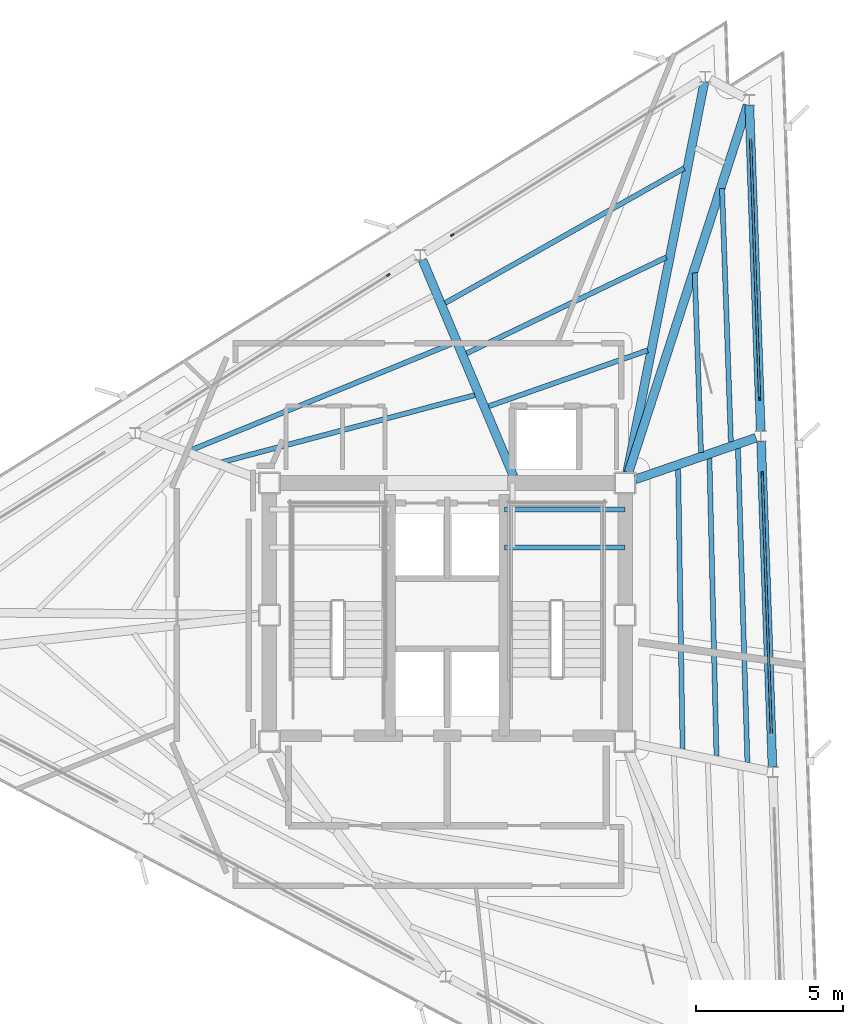
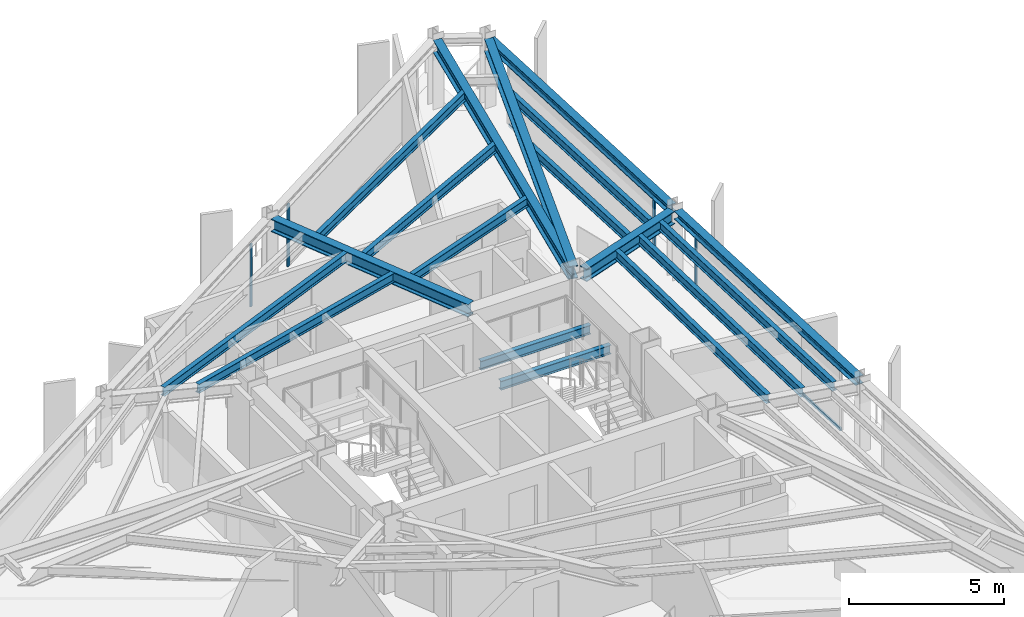
# One storey, part 5 of 12: 18 beams, 8 members, 4 elements without a shape of their own.
"""IFC4 building model written with IfcOpenShell, lengths in metres."""

from ifc_helpers import new_model, si_unit, direction, frame, origin, origin_2d, place, context, subcontext, project, spatial, rectangle, i_section, extrude, material, layer, layer_set, material_profile, profile_set, type_object, element, aggregate, save


model = new_model("IFC4")

# Units and contexts
model_context = context("Model", 3, precision=1e-05, world=origin(), true_north=direction((0.0, 1.0)))
body_context = subcontext(model_context, "Body", "Model", "MODEL_VIEW")
ifc_project = project(units=[si_unit("LENGTHUNIT", "METRE"), si_unit("AREAUNIT", "SQUARE_METRE"), si_unit("VOLUMEUNIT", "CUBIC_METRE"), si_unit("PLANEANGLEUNIT", "RADIAN"), si_unit("MASSUNIT", "GRAM", prefix="KILO")], contexts=[model_context])

# Site, building, storey
site_placement = place(None, origin())
site = spatial("IfcSite", under=ifc_project, at=site_placement, CompositionType="ELEMENT")
building_placement = place(site_placement, origin())
building = spatial("IfcBuilding", under=site, at=building_placement, Name="Rocaltana Carrier Exchange", CompositionType="ELEMENT")
storey_placement = place(building_placement, frame((0.0, 0.0, 205.760009765625)))
storey = spatial("IfcBuildingStorey", under=building, at=storey_placement, Name="L65", CompositionType="ELEMENT", Elevation=205.760009765625)

# Curtain wall, member
ifc_material_1 = material(Name="Aluminium 6063-T6", Category="aluminium")
ifc_layer = layer(ifc_material_1, 0.1201171875)
ifc_layer_set = layer_set([ifc_layer], Name="Aluminium 6063-T6")
curtain_wall_type = type_object("IfcCurtainWallType", Name="High-Altitude Thermal Curtain Wall CW-05", PredefinedType="NOTDEFINED", material=ifc_layer_set)
curtain_wall_1_placement = place(storey_placement, origin())
curtain_wall_1 = element("IfcCurtainWall", 1, at=curtain_wall_1_placement, inside=storey, type_object=curtain_wall_type, Name="L65 CW-05 Run CW-L65-F1S2", PredefinedType="NOTDEFINED")
ifc_material_2 = material(Name="Aluminium 6063-T6", Category="aluminium")
ifc_material_profile_1 = material_profile(ifc_material_2, rectangle(XDim=0.06005859375, YDim=0.1201171875, at=origin_2d()), Name="AL-60X120")
ifc_profile_set_1 = profile_set([ifc_material_profile_1], Name="Aluminium 6063-T6")
member_type_1 = type_object("IfcMemberType", Name="CW-05 Mullion AL-60X120", PredefinedType="MULLION", material=ifc_profile_set_1)
member_1_placement = place(storey_placement, frame((10.712890625, 4.8134765625, 0.0), z_axis=(0.0, 0.0, 1.0), x_axis=(-0.999390720156, -0.034902556738, 0.0)))
member_1 = element("IfcMember", 2, at=member_1_placement, type_object=member_type_1, Name="CW-05 mullion 2", PredefinedType="MULLION", context=body_context, shape_type="SweptSolid", body=[
    extrude(rectangle(XDim=0.06005859375, YDim=0.1201171875, at=origin_2d()), origin(), (0.0, 0.0, 1.0), 2.447998046875),
])

curtain_wall_2_placement = place(storey_placement, origin())
curtain_wall_2 = element("IfcCurtainWall", 3, at=curtain_wall_2_placement, inside=storey, type_object=curtain_wall_type, Name="L65 CW-05 Run CW-L65-F1S3", PredefinedType="NOTDEFINED")
member_2_placement = place(storey_placement, frame((10.62353515625, 7.371826171875, 0.0), z_axis=(0.0, 0.0, 1.0), x_axis=(-0.999390720156, -0.034902556738, 0.0)))
member_2 = element("IfcMember", 4, at=member_2_placement, type_object=member_type_1, Name="CW-05 mullion 1", PredefinedType="MULLION", context=body_context, shape_type="SweptSolid", body=[
    extrude(rectangle(XDim=0.06005859375, YDim=0.1201171875, at=origin_2d()), origin(), (0.0, 0.0, 1.0), 2.447998046875),
])

curtain_wall_3_placement = place(storey_placement, origin())
curtain_wall_3 = element("IfcCurtainWall", 5, at=curtain_wall_3_placement, inside=storey, type_object=curtain_wall_type, Name="L65 CW-05 Run CW-L65-F2S1", PredefinedType="NOTDEFINED")
member_3_placement = place(storey_placement, frame((0.171142578125, 12.9296875, 0.0), z_axis=(0.0, 0.0, 1.0), x_axis=(0.529928503412, -0.848042322807, 0.0)))
member_3 = element("IfcMember", 6, at=member_3_placement, type_object=member_type_1, Name="CW-05 mullion 2", PredefinedType="MULLION", context=body_context, shape_type="SweptSolid", body=[
    extrude(rectangle(XDim=0.06005859375, YDim=0.1201171875, at=origin_2d()), origin(), (0.0, 0.0, 1.0), 2.447998046875),
])
aggregate(curtain_wall_3, [member_3])

curtain_wall_4_placement = place(storey_placement, origin())
curtain_wall_4 = element("IfcCurtainWall", 7, at=curtain_wall_4_placement, inside=storey, type_object=curtain_wall_type, Name="L65 CW-05 Run CW-L65-F2S2", PredefinedType="NOTDEFINED")
member_4_placement = place(storey_placement, frame((-2.0, 11.572998046875, 0.0), z_axis=(0.0, 0.0, 1.0), x_axis=(0.529920452816, -0.848047353446, 0.0)))
member_4 = element("IfcMember", 8, at=member_4_placement, type_object=member_type_1, Name="CW-05 mullion 1", PredefinedType="MULLION", context=body_context, shape_type="SweptSolid", body=[
    extrude(rectangle(XDim=0.06005859375, YDim=0.1201171875, at=origin_2d()), origin(), (0.0, 0.0, 1.0), 2.447998046875),
])
aggregate(curtain_wall_4, [member_4])

# Member
ifc_material_3 = material(Name="Aluminium 6063-T6", Category="aluminium")
ifc_material_profile_2 = material_profile(ifc_material_3, rectangle(XDim=0.06005859375, YDim=0.1201171875, at=origin_2d()), Name="AL-60X120")
ifc_profile_set_2 = profile_set([ifc_material_profile_2], Name="Aluminium 6063-T6")
member_type_2 = type_object("IfcMemberType", Name="CW-05 Transom AL-60X120", PredefinedType="USERDEFINED", material=ifc_profile_set_2)
member_5_placement = place(storey_placement, frame((11.021484375, -4.024658203125, 0.030029296875), z_axis=(-0.034903051323, 0.999390702883, 0.0), x_axis=(-0.999390702883, -0.034903051323, 0.0)))
member_5 = element("IfcMember", 9, at=member_5_placement, type_object=member_type_2, Name="CW-05 transom 1.1", ObjectType="TRANSOM", PredefinedType="USERDEFINED", context=body_context, shape_type="SweptSolid", body=[
    extrude(rectangle(XDim=0.06005859375, YDim=0.1201171875, at=origin_2d()), origin(), (0.0, 0.0, 1.0), 8.8134765625),
])

member_6_placement = place(storey_placement, frame((11.021484375, -4.024658203125, 2.41796875), z_axis=(-0.034903051323, 0.999390702883, 0.0), x_axis=(-0.999390702883, -0.034903051323, 0.0)))
member_6 = element("IfcMember", 10, at=member_6_placement, type_object=member_type_2, Name="CW-05 transom 1.2", ObjectType="TRANSOM", PredefinedType="USERDEFINED", context=body_context, shape_type="SweptSolid", body=[
    extrude(rectangle(XDim=0.06005859375, YDim=0.1201171875, at=origin_2d()), origin(), (0.0, 0.0, 1.0), 8.8134765625),
])

aggregate(curtain_wall_1, [member_1, member_5, member_6])

member_7_placement = place(storey_placement, frame((10.62255859375, 7.40185546875, 0.030029296875), z_axis=(-0.034903051323, 0.999390702883, 0.0), x_axis=(-0.999390702883, -0.034903051323, 0.0)))
member_7 = element("IfcMember", 11, at=member_7_placement, type_object=member_type_2, Name="CW-05 transom 1.1", ObjectType="TRANSOM", PredefinedType="USERDEFINED", context=body_context, shape_type="SweptSolid", body=[
    extrude(rectangle(XDim=0.06005859375, YDim=0.1201171875, at=origin_2d()), origin(), (0.0, 0.0, 1.0), 8.8134765625),
])

member_8_placement = place(storey_placement, frame((10.62255859375, 7.40185546875, 2.41796875), z_axis=(-0.034903051323, 0.999390702883, 0.0), x_axis=(-0.999390702883, -0.034903051323, 0.0)))
member_8 = element("IfcMember", 12, at=member_8_placement, type_object=member_type_2, Name="CW-05 transom 1.2", ObjectType="TRANSOM", PredefinedType="USERDEFINED", context=body_context, shape_type="SweptSolid", body=[
    extrude(rectangle(XDim=0.06005859375, YDim=0.1201171875, at=origin_2d()), origin(), (0.0, 0.0, 1.0), 8.8134765625),
])

aggregate(curtain_wall_2, [member_2, member_7, member_8])

# Beams
ifc_material_4 = material(Name="Steel S355", Category="steel")
ifc_material_profile_3 = material_profile(ifc_material_4, i_section(OverallWidth=0.172119140625, OverallDepth=0.35791015625, WebThickness=0.0078125, FlangeThickness=0.01318359375, FilletRadius=0.011962890625, at=origin_2d()), Name="W14X38")
ifc_profile_set_3 = profile_set([ifc_material_profile_3], Name="Steel S355")
beam_type_1 = type_object("IfcBeamType", Name="Floor Joist W14X38", PredefinedType="JOIST", material=ifc_profile_set_3)
for number, where, z_axis, x_axis, name in (
    (13, (1.93994140625, 2.300048828125, 1.140869140625), (1.0, 0.0, 0.0), (0.0, 1.0, 0.0), "L65 ST-2 Landing Carrier 1"),
    (14, (1.93994140625, 3.60009765625, 1.140869140625), (1.0, 0.0, 0.0), (0.0, 1.0, 0.0), "L65 ST-2 Landing Carrier 2"),
):
    element("IfcBeam", number, at=place(storey_placement, frame(where, z_axis=z_axis, x_axis=x_axis)), inside=storey, type_object=beam_type_1, Name=name, PredefinedType="JOIST", context=body_context, shape_type="SweptSolid", body=[
        extrude(i_section(OverallWidth=0.172119140625, OverallDepth=0.35791015625, WebThickness=0.0078125, FlangeThickness=0.01318359375, FilletRadius=0.011962890625, at=origin_2d()), origin(), (0.0, 0.0, 1.0), 4.110107421875),
    ])
beam_1_placement = place(storey_placement, frame((8.00439453125, -4.55908203125, 2.618896484375), z_axis=(-0.015819427731, 0.999874865024, 0.0), x_axis=(-0.999874865024, -0.015819427731, 0.0)))
element("IfcBeam", 15, at=beam_1_placement, inside=storey, type_object=beam_type_1, Name="FJ-L65-02-1", PredefinedType="JOIST", context=body_context, shape_type="SweptSolid", body=[
    extrude(i_section(OverallWidth=0.172119140625, OverallDepth=0.35791015625, WebThickness=0.0078125, FlangeThickness=0.01318359375, FilletRadius=0.011962890625, at=origin_2d()), origin(), (0.0, 0.0, 1.0), 9.53759765625),
])
beam_2_placement = place(storey_placement, frame((9.1572265625, -4.796875, 2.618896484375), z_axis=(-0.023708273398, 0.999718919383, 0.0), x_axis=(-0.999718919383, -0.023708273398, 0.0)))
element("IfcBeam", 16, at=beam_2_placement, inside=storey, type_object=beam_type_1, Name="FJ-L65-02-2", PredefinedType="JOIST", context=body_context, shape_type="SweptSolid", body=[
    extrude(i_section(OverallWidth=0.172119140625, OverallDepth=0.35791015625, WebThickness=0.0078125, FlangeThickness=0.01318359375, FilletRadius=0.011962890625, at=origin_2d()), origin(), (0.0, 0.0, 1.0), 10.143310546875),
])
beam_3_placement = place(storey_placement, frame((10.2099609375, -5.013916015625, 2.618896484375), z_axis=(-0.030150236213, 0.999545378288, 0.0), x_axis=(-0.999545378288, -0.030150236213, 0.0)))
element("IfcBeam", 17, at=beam_3_placement, inside=storey, type_object=beam_type_1, Name="FJ-L65-02-3", PredefinedType="JOIST", context=body_context, shape_type="SweptSolid", body=[
    extrude(i_section(OverallWidth=0.172119140625, OverallDepth=0.35791015625, WebThickness=0.0078125, FlangeThickness=0.01318359375, FilletRadius=0.011962890625, at=origin_2d()), origin(), (0.0, 0.0, 1.0), 10.69677734375),
])
beam_4_placement = place(storey_placement, frame((8.631103515625, 5.535888671875, 2.618896484375), z_axis=(-0.034896830371, 0.999390920126, 0.0), x_axis=(-0.999390920126, -0.034896830371, 0.0)))
element("IfcBeam", 18, at=beam_4_placement, inside=storey, type_object=beam_type_1, Name="FJ-L65-03-2", PredefinedType="JOIST", context=body_context, shape_type="SweptSolid", body=[
    extrude(i_section(OverallWidth=0.172119140625, OverallDepth=0.35791015625, WebThickness=0.0078125, FlangeThickness=0.01318359375, FilletRadius=0.011962890625, at=origin_2d()), origin(), (0.0, 0.0, 1.0), 6.114501953125),
])
beam_5_placement = place(storey_placement, frame((9.647216796875, 5.88623046875, 2.618896484375), z_axis=(-0.034909498386, 0.999390477703, 0.0), x_axis=(-0.999390477703, -0.034909498386, 0.0)))
element("IfcBeam", 19, at=beam_5_placement, inside=storey, type_object=beam_type_1, Name="FJ-L65-03-3", PredefinedType="JOIST", context=body_context, shape_type="SweptSolid", body=[
    extrude(i_section(OverallWidth=0.172119140625, OverallDepth=0.35791015625, WebThickness=0.0078125, FlangeThickness=0.01318359375, FilletRadius=0.011962890625, at=origin_2d()), origin(), (0.0, 0.0, 1.0), 8.630126953125),
])
beam_6_placement = place(storey_placement, frame((6.815673828125, 9.009521484375, 2.618896484375), z_axis=(-0.943243231167, -0.332102705285, 0.0), x_axis=(0.332102705285, -0.943243231167, 0.0)))
element("IfcBeam", 20, at=beam_6_placement, inside=storey, type_object=beam_type_1, Name="FJ-L65-05-1", PredefinedType="JOIST", context=body_context, shape_type="SweptSolid", body=[
    extrude(i_section(OverallWidth=0.172119140625, OverallDepth=0.35791015625, WebThickness=0.0078125, FlangeThickness=0.01318359375, FilletRadius=0.011962890625, at=origin_2d()), origin(), (0.0, 0.0, 1.0), 5.732666015625),
])
beam_7_placement = place(storey_placement, frame((7.449951171875, 12.17138671875, 2.618896484375), z_axis=(-0.90125874398, -0.433281290155, 0.0), x_axis=(0.433281290155, -0.90125874398, 0.0)))
element("IfcBeam", 21, at=beam_7_placement, inside=storey, type_object=beam_type_1, Name="FJ-L65-05-2", PredefinedType="JOIST", context=body_context, shape_type="SweptSolid", body=[
    extrude(i_section(OverallWidth=0.172119140625, OverallDepth=0.35791015625, WebThickness=0.0078125, FlangeThickness=0.01318359375, FilletRadius=0.011962890625, at=origin_2d()), origin(), (0.0, 0.0, 1.0), 7.543212890625),
])
beam_8_placement = place(storey_placement, frame((8.05517578125, 15.201171875, 2.618896484375), z_axis=(-0.870951476943, -0.491369031187, 0.0), x_axis=(0.491369031187, -0.870951476943, 0.0)))
element("IfcBeam", 22, at=beam_8_placement, inside=storey, type_object=beam_type_1, Name="FJ-L65-05-3", PredefinedType="JOIST", context=body_context, shape_type="SweptSolid", body=[
    extrude(i_section(OverallWidth=0.172119140625, OverallDepth=0.35791015625, WebThickness=0.0078125, FlangeThickness=0.01318359375, FilletRadius=0.011962890625, at=origin_2d()), origin(), (0.0, 0.0, 1.0), 9.330078125),
])
beam_9_placement = place(storey_placement, frame((0.937744140625, 7.486083984375, 2.618896484375), z_axis=(-0.966555608165, -0.256457123756, 0.0), x_axis=(0.256457123756, -0.966555608165, 0.0)))
element("IfcBeam", 23, at=beam_9_placement, inside=storey, type_object=beam_type_1, Name="FJ-L65-06-1", PredefinedType="JOIST", context=body_context, shape_type="SweptSolid", body=[
    extrude(i_section(OverallWidth=0.172119140625, OverallDepth=0.35791015625, WebThickness=0.0078125, FlangeThickness=0.01318359375, FilletRadius=0.011962890625, at=origin_2d()), origin(), (0.0, 0.0, 1.0), 8.92578125),
])
beam_10_placement = place(storey_placement, frame((0.192626953125, 9.25146484375, 2.618896484375), z_axis=(-0.925846018296, -0.37790097963, 0.0), x_axis=(0.37790097963, -0.925846018296, 0.0)))
element("IfcBeam", 24, at=beam_10_placement, inside=storey, type_object=beam_type_1, Name="FJ-L65-06-2", PredefinedType="JOIST", context=body_context, shape_type="SweptSolid", body=[
    extrude(i_section(OverallWidth=0.172119140625, OverallDepth=0.35791015625, WebThickness=0.0078125, FlangeThickness=0.01318359375, FilletRadius=0.011962890625, at=origin_2d()), origin(), (0.0, 0.0, 1.0), 9.652587890625),
])
ifc_material_5 = material(Name="Steel S355", Category="steel")
ifc_material_profile_4 = material_profile(ifc_material_5, i_section(OverallWidth=0.300048828125, OverallDepth=0.320068359375, WebThickness=0.011474609375, FlangeThickness=0.0205078125, FilletRadius=0.027099609375, at=origin_2d()), Name="HEB320")
ifc_profile_set_4 = profile_set([ifc_material_profile_4], Name="Steel S355")
beam_type_2 = type_object("IfcBeamType", Name="Spandrel Edge Beam HEB320", PredefinedType="SPANDREL", material=ifc_profile_set_4)
beam_11_placement = place(storey_placement, frame((11.060791015625, -5.154296875, 2.637939453125), z_axis=(-0.03487608544, 0.999391644284, 0.0), x_axis=(-0.999391644284, -0.03487608544, 0.0)))
element("IfcBeam", 25, at=beam_11_placement, inside=storey, type_object=beam_type_2, Name="SP-L65-02", PredefinedType="SPANDREL", context=body_context, shape_type="SweptSolid", body=[
    extrude(i_section(OverallWidth=0.300048828125, OverallDepth=0.320068359375, WebThickness=0.011474609375, FlangeThickness=0.0205078125, FilletRadius=0.027099609375, at=origin_2d()), origin(), (0.0, 0.0, 1.0), 11.074462890625),
])
beam_12_placement = place(storey_placement, frame((10.661865234375, 6.272216796875, 2.637939453125), z_axis=(-0.034898873062, 0.999390848797, 0.0), x_axis=(-0.999390848797, -0.034898873062, 0.0)))
element("IfcBeam", 26, at=beam_12_placement, inside=storey, type_object=beam_type_2, Name="SP-L65-03", PredefinedType="SPANDREL", context=body_context, shape_type="SweptSolid", body=[
    extrude(i_section(OverallWidth=0.300048828125, OverallDepth=0.320068359375, WebThickness=0.011474609375, FlangeThickness=0.0205078125, FilletRadius=0.027099609375, at=origin_2d()), origin(), (0.0, 0.0, 1.0), 11.07421875),
])
ifc_material_6 = material(Name="Steel S355", Category="steel")
ifc_material_profile_5 = material_profile(ifc_material_6, i_section(OverallWidth=0.300048828125, OverallDepth=0.5, WebThickness=0.014404296875, FlangeThickness=0.028076171875, FilletRadius=0.027099609375, at=origin_2d()), Name="HEB500")
ifc_profile_set_5 = profile_set([ifc_material_profile_5], Name="Steel S355")
beam_type_3 = type_object("IfcBeamType", Name="Upper Radial Girder HEB500", PredefinedType="BEAM", material=ifc_profile_set_5)
beam_13_placement = place(storey_placement, frame((6.39697265625, 4.61962890625, 2.548095703125), z_axis=(0.945357432696, 0.326035771729, 0.0), x_axis=(-0.326035771729, 0.945357432696, 0.0)))
element("IfcBeam", 27, at=beam_13_placement, inside=storey, type_object=beam_type_3, Name="RG-L65-03", PredefinedType="BEAM", context=body_context, shape_type="SweptSolid", body=[
    extrude(i_section(OverallWidth=0.300048828125, OverallDepth=0.5, WebThickness=0.014404296875, FlangeThickness=0.028076171875, FilletRadius=0.027099609375, at=origin_2d()), origin(), (0.0, 0.0, 1.0), 4.338623046875),
])
beam_14_placement = place(storey_placement, frame((6.1630859375, 4.84912109375, 2.548095703125), z_axis=(0.308295669882, 0.951290586484, 0.0), x_axis=(-0.951290586484, 0.308295669882, 0.0)))
element("IfcBeam", 28, at=beam_14_placement, inside=storey, type_object=beam_type_3, Name="RG-L65-04", PredefinedType="BEAM", context=body_context, shape_type="SweptSolid", body=[
    extrude(i_section(OverallWidth=0.300048828125, OverallDepth=0.5, WebThickness=0.014404296875, FlangeThickness=0.028076171875, FilletRadius=0.027099609375, at=origin_2d()), origin(), (0.0, 0.0, 1.0), 13.13916015625),
])
beam_15_placement = place(storey_placement, frame((6.12109375, 4.860107421875, 2.548095703125), z_axis=(0.19403381503, 0.980994841284, 0.0), x_axis=(-0.980994841284, 0.19403381503, 0.0)))
element("IfcBeam", 29, at=beam_15_placement, inside=storey, type_object=beam_type_3, Name="RG-L65-05", PredefinedType="BEAM", context=body_context, shape_type="SweptSolid", body=[
    extrude(i_section(OverallWidth=0.300048828125, OverallDepth=0.5, WebThickness=0.014404296875, FlangeThickness=0.028076171875, FilletRadius=0.027099609375, at=origin_2d()), origin(), (0.0, 0.0, 1.0), 13.531005859375),
])
beam_16_placement = place(storey_placement, frame((2.256103515625, 4.722900390625, 2.548095703125), z_axis=(-0.388121207537, 0.921608337777, 0.0), x_axis=(-0.921608337777, -0.388121207537, 0.0)))
element("IfcBeam", 30, at=beam_16_placement, inside=storey, type_object=beam_type_3, Name="RG-L65-06", PredefinedType="BEAM", context=body_context, shape_type="SweptSolid", body=[
    extrude(i_section(OverallWidth=0.300048828125, OverallDepth=0.5, WebThickness=0.014404296875, FlangeThickness=0.028076171875, FilletRadius=0.027099609375, at=origin_2d()), origin(), (0.0, 0.0, 1.0), 7.9892578125),
])

save(model, "model.ifc")
